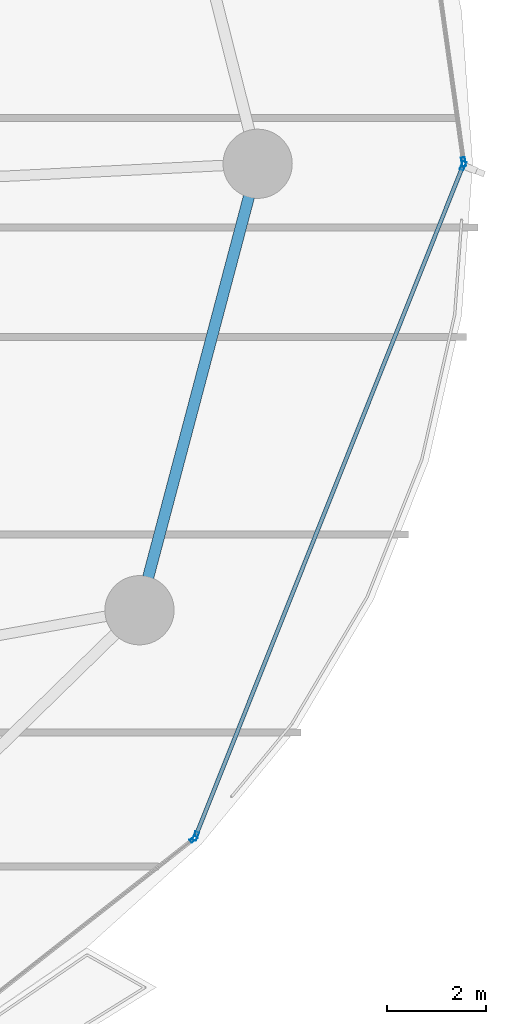
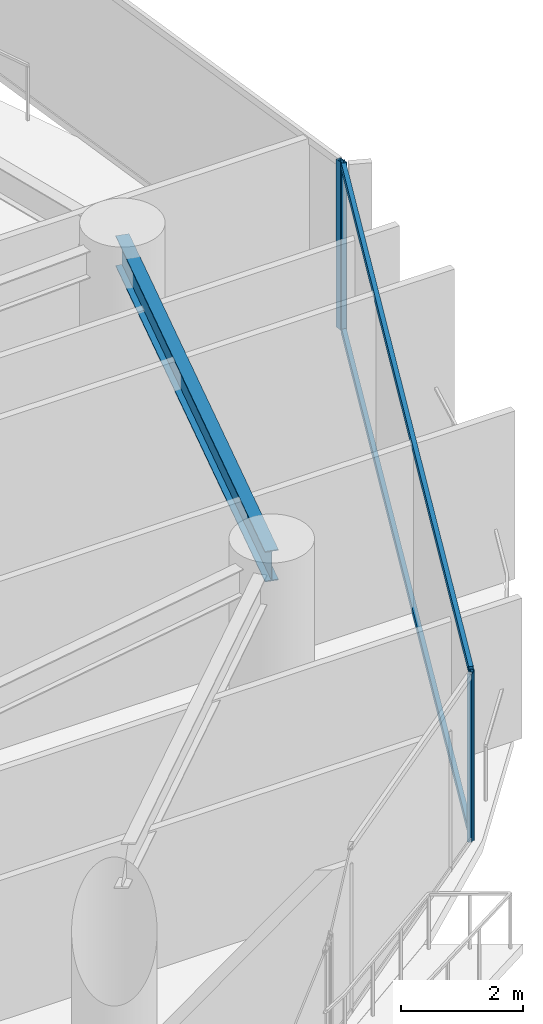
# One storey, part 22 of 32: 6 members, 1 beam, 3 elements without a shape of their own.
"""IFC4 building model written with IfcOpenShell, lengths in metres."""

import ifcopenshell
import ifcopenshell.guid

model = None  # the IFC model being written
_history = None  # IfcOwnerHistory: only IFC2X3 demands one
_inside = {}  # id of a spatial element -> (the spatial element, [elements in it])
_under = {}  # id of a project, library or spatial element -> (it, [spatial elements below it])
_declared = {}  # id of a project -> (the project, [libraries it declares])
_typed = {}  # id of a type object -> (the type object, [elements of that type])
_made_of = {}  # id of a material, layer set ... -> (it, [elements and type objects made of it])


def new_model(schema):
    """Start an empty IFC model of exactly this schema.

    Asked for "IFC4X3", IfcOpenShell would pick the latest addendum, in which some entities
    have other attributes; the version numbers below select the first issue.
    IFC2X3 requires an IfcOwnerHistory on every rooted entity: one is made here for all.
    """
    global model, _history
    if schema == "IFC4X3":
        model = ifcopenshell.file(schema_version=(4, 3, 0, 0))
    else:
        model = ifcopenshell.file(schema=schema)
    _inside.clear()
    _under.clear()
    _declared.clear()
    _typed.clear()
    _made_of.clear()
    _history = None
    if model.schema == "IFC2X3":
        org = make("IfcOrganization", Name="unknown")
        user = make(
            "IfcPersonAndOrganization",
            ThePerson=make("IfcPerson", FamilyName="unknown"),
            TheOrganization=org,
        )
        app = make(
            "IfcApplication",
            ApplicationDeveloper=org,
            Version="unknown",
            ApplicationFullName="unknown",
            ApplicationIdentifier="unknown",
        )
        _history = make(
            "IfcOwnerHistory",
            OwningUser=user,
            OwningApplication=app,
            ChangeAction="ADDED",
            CreationDate=0,
        )
    return model


def make(cls, **values):
    """One entity of the class cls with the attributes given. An attribute that is None is left unset."""
    return model.create_entity(
        cls, **{name: value for name, value in values.items() if value is not None}
    )


def rooted(cls, **values):
    """An entity with a GlobalId (a new one), such as an element, a storey or a relation."""
    return make(cls, GlobalId=ifcopenshell.guid.new(), OwnerHistory=_history, **values)


def si_unit(unit_type, name, prefix=None):
    """IfcSIUnit, for example si_unit("LENGTHUNIT", "METRE", prefix="MILLI")."""
    return make("IfcSIUnit", UnitType=unit_type, Prefix=prefix, Name=name)


def assignment(units):
    """IfcUnitAssignment: the units of a project."""
    return None if units is None else make("IfcUnitAssignment", Units=units)


def point(xyz):
    """IfcCartesianPoint."""
    return None if xyz is None else make("IfcCartesianPoint", Coordinates=xyz)


def direction(xyz):
    """IfcDirection."""
    return None if xyz is None else make("IfcDirection", DirectionRatios=xyz)


def frame(location, z_axis=None, x_axis=None):
    """IfcAxis2Placement3D, a coordinate frame: its origin and axes. An axis left out is left unset."""
    return make(
        "IfcAxis2Placement3D",
        Location=point(location),
        Axis=direction(z_axis),
        RefDirection=direction(x_axis),
    )


def frame_2d(location, x_axis=None):
    """IfcAxis2Placement2D, a coordinate frame in the plane: its origin and x axis."""
    return make(
        "IfcAxis2Placement2D", Location=point(location), RefDirection=direction(x_axis)
    )


def origin():
    """The frame at (0, 0, 0) with its axes left unset."""
    return frame((0.0, 0.0, 0.0))


def origin_2d():
    """The frame at (0, 0) in the plane with its x axis left unset."""
    return frame_2d((0.0, 0.0))


def place(relative_to, where):
    """IfcLocalPlacement: puts the frame where relative to a parent placement (None: the world)."""
    return make(
        "IfcLocalPlacement", PlacementRelTo=relative_to, RelativePlacement=where
    )


def context(
    kind, dimensions, precision=None, world=None, true_north=None, identifier=None
):
    """IfcGeometricRepresentationContext, for example the 3D "Model" context."""
    return make(
        "IfcGeometricRepresentationContext",
        ContextIdentifier=identifier,
        ContextType=kind,
        CoordinateSpaceDimension=dimensions,
        Precision=precision,
        WorldCoordinateSystem=world,
        TrueNorth=true_north,
    )


def subcontext(parent, identifier, kind, view, scale=None):
    """IfcGeometricRepresentationSubContext, for example "Body" below "Model"."""
    return make(
        "IfcGeometricRepresentationSubContext",
        ContextIdentifier=identifier,
        ContextType=kind,
        ParentContext=parent,
        TargetScale=scale,
        TargetView=view,
    )


def project(units=None, contexts=None):
    """IfcProject with its units and contexts."""
    return rooted(
        "IfcProject",
        Name="project",
        RepresentationContexts=contexts,
        UnitsInContext=assignment(units),
    )


def spatial(cls, under=None, at=None, **own):
    """A site, building, storey or space (cls), placed at a placement, below another one or the project."""
    s = rooted(cls, ObjectPlacement=at, **own)
    if under is not None:
        _under.setdefault(under.id(), (under, []))[1].append(s)
    return s


def profile(cls, at=None, kind="AREA", **sizes):
    """A parametric profile (cls). Its sizes go by their IFC names, for example OverallWidth=200.0."""
    return make(cls, ProfileType=kind, Position=at, **sizes)


def hollow_rectangle(**sizes):
    """IfcRectangleHollowProfileDef."""
    return profile("IfcRectangleHollowProfileDef", **sizes)


def i_section(**sizes):
    """IfcIShapeProfileDef."""
    return profile("IfcIShapeProfileDef", **sizes)


def extrude(swept, where, along, depth):
    """IfcExtrudedAreaSolid: the profile swept, set in the frame where, extruded along a direction by depth."""
    return make(
        "IfcExtrudedAreaSolid",
        SweptArea=swept,
        Position=where,
        ExtrudedDirection=direction(along),
        Depth=depth,
    )


def shape(context_of_items, identifier, shape_type, items):
    """IfcShapeRepresentation: the items that make up one representation, for example the "Body"."""
    return make(
        "IfcShapeRepresentation",
        ContextOfItems=context_of_items,
        RepresentationIdentifier=identifier,
        RepresentationType=shape_type,
        Items=items,
    )


def material(Name=None, Category=None):
    """IfcMaterial."""
    return make("IfcMaterial", Name=Name, Category=Category)


def layer(
    of_material, thickness, ventilated=None, Name=None, Category=None, Priority=None
):
    """IfcMaterialLayer: one layer of a wall or slab, of a material (None: an air gap)."""
    return make(
        "IfcMaterialLayer",
        Material=of_material,
        LayerThickness=thickness,
        IsVentilated=ventilated,
        Name=Name,
        Category=Category,
        Priority=Priority,
    )


def layer_set(layers, Name=None):
    """IfcMaterialLayerSet."""
    return make("IfcMaterialLayerSet", MaterialLayers=layers, LayerSetName=Name)


def material_profile(
    of_material, cross_section, Name=None, Category=None, Priority=None
):
    """IfcMaterialProfile: a cross section and its material."""
    return make(
        "IfcMaterialProfile",
        Name=Name,
        Material=of_material,
        Profile=cross_section,
        Priority=Priority,
        Category=Category,
    )


def profile_set(profiles, Name=None, composite=None):
    """IfcMaterialProfileSet."""
    return make(
        "IfcMaterialProfileSet",
        Name=Name,
        MaterialProfiles=profiles,
        CompositeProfile=composite,
    )


def made_of(thing, what):
    """Note that an element or type object is made of a material, layer set ...; save() writes the relation."""
    if what is not None:
        _made_of.setdefault(what.id(), (what, []))[1].append(thing)
    return thing


def type_object(cls, material=None, **own):
    """A type object (cls), such as IfcWallType, which elements share."""
    return made_of(rooted(cls, **own), material)


def element(
    cls,
    number,
    at=None,
    inside=None,
    cuts=None,
    type_object=None,
    material=None,
    context=None,
    identifier="Body",
    shape_type=None,
    held_by="IfcProductDefinitionShape",
    body=None,
    shapes=None,
    **own,
):
    """One element of the class cls, such as IfcWall. Its Tag is "e" and its number.

    at: its placement. inside: the storey or other place that contains it. cuts: it is an
    opening in that element (IfcRelVoidsElement). A single representation is given by context,
    identifier, shape_type and body (its items); several are given by shapes. held_by: the class
    of the entity that holds the representations. save() writes the other relations.
    """
    e = rooted(cls, Tag="e%d" % number, ObjectPlacement=at, **own)
    if body is not None:
        shapes = [shape(context, identifier, shape_type, body)]
    if shapes is not None:
        e.Representation = make(held_by, Representations=shapes)
    if inside is not None:
        _inside.setdefault(inside.id(), (inside, []))[1].append(e)
    if cuts is not None:
        rooted(
            "IfcRelVoidsElement", RelatingBuildingElement=cuts, RelatedOpeningElement=e
        )
    if type_object is not None:
        _typed.setdefault(type_object.id(), (type_object, []))[1].append(e)
    return made_of(e, material)


def aggregate(whole, parts):
    """IfcRelAggregates: a whole, such as a stair, and the parts it consists of."""
    return rooted("IfcRelAggregates", RelatingObject=whole, RelatedObjects=parts)


def save(model, path):
    """Write the relations noted so far, then the file.

    IfcRelAggregates (storeys below a building ...), IfcRelContainedInSpatialStructure (elements
    in a storey), IfcRelDefinesByType, IfcRelAssociatesMaterial and IfcRelDeclares: one each for
    every whole, place, type object, material and project.
    """
    for whole, parts in _under.values():
        aggregate(whole, parts)
    for where, things in _inside.values():
        rooted(
            "IfcRelContainedInSpatialStructure",
            RelatedElements=things,
            RelatingStructure=where,
        )
    for kind, things in _typed.values():
        rooted("IfcRelDefinesByType", RelatedObjects=things, RelatingType=kind)
    for what, things in _made_of.values():
        rooted("IfcRelAssociatesMaterial", RelatedObjects=things, RelatingMaterial=what)
    for by, libraries in _declared.values():
        rooted("IfcRelDeclares", RelatingContext=by, RelatedDefinitions=libraries)
    model.write(path)


model = new_model("IFC4")

# Units and contexts
model_context = context("Model", 3, precision=1e-05, world=origin(), true_north=direction((0.0, 1.0)))
body_context = subcontext(model_context, "Body", "Model", "MODEL_VIEW")
ifc_project = project(units=[si_unit("LENGTHUNIT", "METRE"), si_unit("AREAUNIT", "SQUARE_METRE"), si_unit("VOLUMEUNIT", "CUBIC_METRE"), si_unit("PLANEANGLEUNIT", "RADIAN"), si_unit("MASSUNIT", "GRAM", prefix="KILO")], contexts=[model_context])

# Site, building, storey
site_placement = place(None, origin())
site = spatial("IfcSite", under=ifc_project, at=site_placement, CompositionType="ELEMENT")
building_placement = place(site_placement, origin())
building = spatial("IfcBuilding", under=site, at=building_placement, Name="Kazevale Care Tower and Concert Hall", CompositionType="ELEMENT")
storey_placement = place(building_placement, frame((0.0, 0.0, 42.0)))
storey = spatial("IfcBuildingStorey", under=building, at=storey_placement, Name="L10", CompositionType="ELEMENT", Elevation=42.0)

# Curtain wall, members
ifc_material_1 = material(Name="Aluminium 6063-T6 and Low-E Glass", Category="aluminium")
ifc_layer_1 = layer(ifc_material_1, 0.179931640625)
ifc_layer_set_1 = layer_set([ifc_layer_1], Name="Aluminium 6063-T6 and Low-E Glass")
curtain_wall_type_1 = type_object("IfcCurtainWallType", Name="Waist & Upper Residential Curtain Wall CW-4", PredefinedType="NOTDEFINED", material=ifc_layer_set_1)
curtain_wall_1_placement = place(storey_placement, origin())
curtain_wall_1 = element("IfcCurtainWall", 1, at=curtain_wall_1_placement, inside=storey, type_object=curtain_wall_type_1, Name="cw:L10:f01", PredefinedType="NOTDEFINED")
ifc_material_2 = material(Name="Aluminium 6063-T6", Category="aluminium")
ifc_material_profile_1 = material_profile(ifc_material_2, hollow_rectangle(XDim=0.080078125, YDim=0.179931640625, WallThickness=0.0048828125, at=origin_2d()), Name="ALU80x180x5")
ifc_profile_set_1 = profile_set([ifc_material_profile_1], Name="Aluminium 6063-T6")
member_type_1 = type_object("IfcMemberType", Name="CW-4 Mullion ALU80x180x5", PredefinedType="MULLION", material=ifc_profile_set_1)
member_1_placement = place(storey_placement, frame((80.605224609375, 37.962890625, 0.0), z_axis=(0.0, 0.0, 1.0), x_axis=(0.928861412274, -0.370427424456, 0.0)))
member_1 = element("IfcMember", 2, at=member_1_placement, type_object=member_type_1, Name="CW-4 mullion 1", PredefinedType="MULLION", context=body_context, shape_type="SweptSolid", body=[
    extrude(hollow_rectangle(XDim=0.080078125, YDim=0.179931640625, WallThickness=0.0048828125, at=origin_2d()), origin(), (0.0, 0.0, 1.0), 3.360107421875),
])
member_2_placement = place(storey_placement, frame((75.19677734375, 24.401123046875, 0.0), z_axis=(0.0, 0.0, 1.0), x_axis=(0.928861412274, -0.370427424456, 0.0)))
member_2 = element("IfcMember", 3, at=member_2_placement, type_object=member_type_1, Name="CW-4 mullion 2", PredefinedType="MULLION", context=body_context, shape_type="SweptSolid", body=[
    extrude(hollow_rectangle(XDim=0.080078125, YDim=0.179931640625, WallThickness=0.0048828125, at=origin_2d()), origin(), (0.0, 0.0, 1.0), 3.360107421875),
])

# Curtain wall, member
curtain_wall_2_placement = place(storey_placement, origin())
curtain_wall_2 = element("IfcCurtainWall", 4, at=curtain_wall_2_placement, inside=storey, type_object=curtain_wall_type_1, Name="cw:L10:f18", PredefinedType="NOTDEFINED")
member_3_placement = place(storey_placement, frame((80.614501953125, 38.03955078125, 0.0), z_axis=(0.0, 0.0, 1.0), x_axis=(0.990295475282, 0.138977953775, 0.0)))
member_3 = element("IfcMember", 5, at=member_3_placement, type_object=member_type_1, Name="CW-4 mullion 2", PredefinedType="MULLION", context=body_context, shape_type="SweptSolid", body=[
    extrude(hollow_rectangle(XDim=0.080078125, YDim=0.179931640625, WallThickness=0.0048828125, at=origin_2d()), origin(), (0.0, 0.0, 1.0), 3.360107421875),
])
aggregate(curtain_wall_2, [member_3])

# Member
ifc_material_profile_2 = material_profile(ifc_material_2, hollow_rectangle(XDim=0.080078125, YDim=0.139892578125, WallThickness=0.00390625, at=origin_2d()), Name="ALU80x140x4")
ifc_profile_set_2 = profile_set([ifc_material_profile_2], Name="Aluminium 6063-T6")
member_type_2 = type_object("IfcMemberType", Name="CW-4 Transom ALU80x140x4", PredefinedType="USERDEFINED", material=ifc_profile_set_2)
member_4_placement = place(storey_placement, frame((80.59033203125, 37.92578125, 0.0400390625), z_axis=(-0.370419345682, -0.928864634026, 0.0), x_axis=(0.928864634026, -0.370419345682, 0.0)))
member_4 = element("IfcMember", 6, at=member_4_placement, type_object=member_type_2, Name="CW-4 transom 1.1", ObjectType="TRANSOM", PredefinedType="USERDEFINED", context=body_context, shape_type="SweptSolid", body=[
    extrude(hollow_rectangle(XDim=0.080078125, YDim=0.139892578125, WallThickness=0.00390625, at=origin_2d()), origin(), (0.0, 0.0, 1.0), 14.5205078125),
])

member_5_placement = place(storey_placement, frame((80.59033203125, 37.92578125, 3.320068359375), z_axis=(-0.370419345682, -0.928864634026, 0.0), x_axis=(0.928864634026, -0.370419345682, 0.0)))
member_5 = element("IfcMember", 7, at=member_5_placement, type_object=member_type_2, Name="CW-4 transom 1.2", ObjectType="TRANSOM", PredefinedType="USERDEFINED", context=body_context, shape_type="SweptSolid", body=[
    extrude(hollow_rectangle(XDim=0.080078125, YDim=0.139892578125, WallThickness=0.00390625, at=origin_2d()), origin(), (0.0, 0.0, 1.0), 14.5205078125),
])

aggregate(curtain_wall_1, [member_1, member_2, member_4, member_5])

# Curtain wall, member
ifc_layer_2 = layer(ifc_material_1, 0.179931640625)
ifc_layer_set_2 = layer_set([ifc_layer_2], Name="Aluminium 6063-T6 and Low-E Glass")
curtain_wall_type_2 = type_object("IfcCurtainWallType", Name="Sheltered Concave Balcony Curtain Wall CW-5", PredefinedType="NOTDEFINED", material=ifc_layer_set_2)
curtain_wall_3_placement = place(storey_placement, origin())
curtain_wall_3 = element("IfcCurtainWall", 8, at=curtain_wall_3_placement, inside=storey, type_object=curtain_wall_type_2, Name="cw:L10:f02", PredefinedType="NOTDEFINED")
ifc_material_profile_3 = material_profile(ifc_material_2, hollow_rectangle(XDim=0.074951171875, YDim=0.14990234375, WallThickness=0.00390625, at=origin_2d()), Name="ALU75x150x4")
ifc_profile_set_3 = profile_set([ifc_material_profile_3], Name="Aluminium 6063-T6")
member_type_3 = type_object("IfcMemberType", Name="CW-5 Mullion ALU75x150x4", PredefinedType="MULLION", material=ifc_profile_set_3)
member_6_placement = place(storey_placement, frame((75.152587890625, 24.3408203125, 0.0), z_axis=(0.0, 0.0, 1.0), x_axis=(0.617807548814, -0.78632934107, 0.0)))
member_6 = element("IfcMember", 9, at=member_6_placement, type_object=member_type_3, Name="CW-5 mullion 1", PredefinedType="MULLION", context=body_context, shape_type="SweptSolid", body=[
    extrude(hollow_rectangle(XDim=0.074951171875, YDim=0.14990234375, WallThickness=0.00390625, at=origin_2d()), origin(), (0.0, 0.0, 1.0), 3.360107421875),
])
aggregate(curtain_wall_3, [member_6])

# Beam
ifc_material_3 = material(Name="Steel ASTM A572 Gr 50", Category="steel")
ifc_material_profile_4 = material_profile(ifc_material_3, i_section(OverallWidth=0.22900390625, OverallDepth=0.612060546875, WebThickness=0.011962890625, FlangeThickness=0.01953125, at=origin_2d()), Name="W610x125")
ifc_profile_set_4 = profile_set([ifc_material_profile_4], Name="Steel ASTM A572 Gr 50")
beam_type = type_object("IfcBeamType", Name="Ring Spandrel Beam W610x125", PredefinedType="SPANDREL", material=ifc_profile_set_4)
beam_placement = place(storey_placement, frame((74.06005859375, 28.969970703125, 3.053955078125), z_axis=(0.255851611973, 0.966716066201, 0.0), x_axis=(-0.966716066201, 0.255851611973, 0.0)))
element("IfcBeam", 10, at=beam_placement, inside=storey, type_object=beam_type, Name="beam:L10:ring:16", PredefinedType="SPANDREL", context=body_context, shape_type="SweptSolid", body=[
    extrude(i_section(OverallWidth=0.22900390625, OverallDepth=0.612060546875, WebThickness=0.011962890625, FlangeThickness=0.01953125, at=origin_2d()), origin(), (0.0, 0.0, 1.0), 9.3408203125),
])

save(model, "model.ifc")
